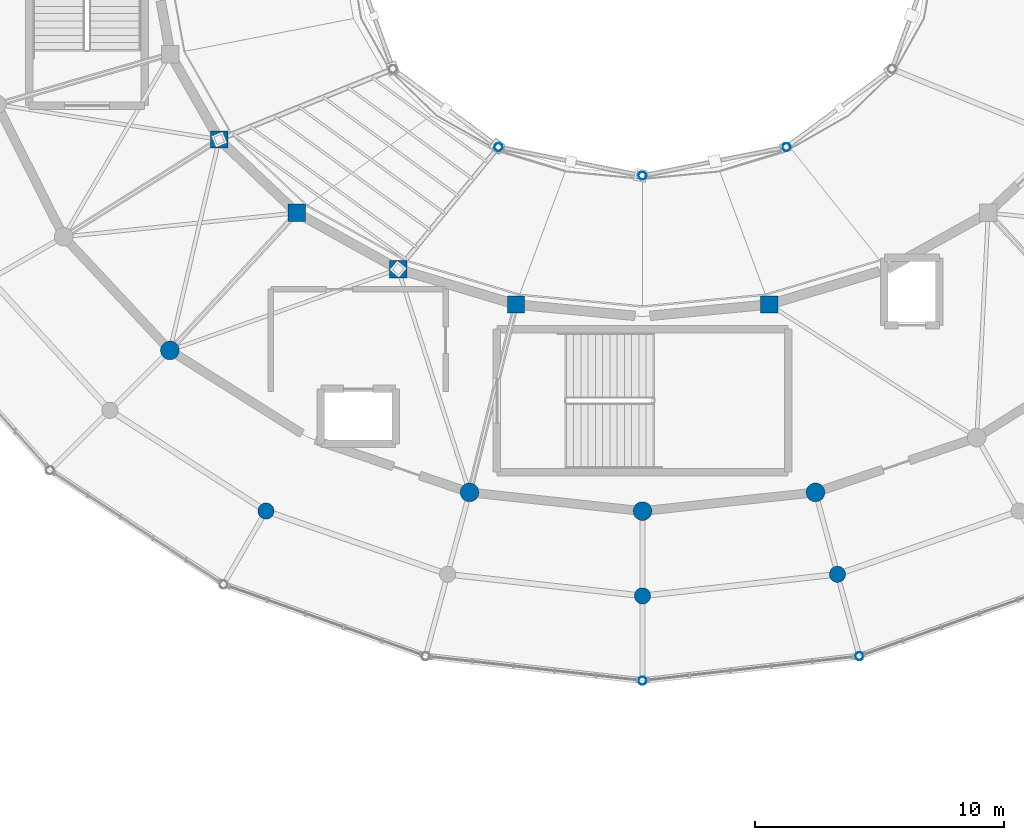
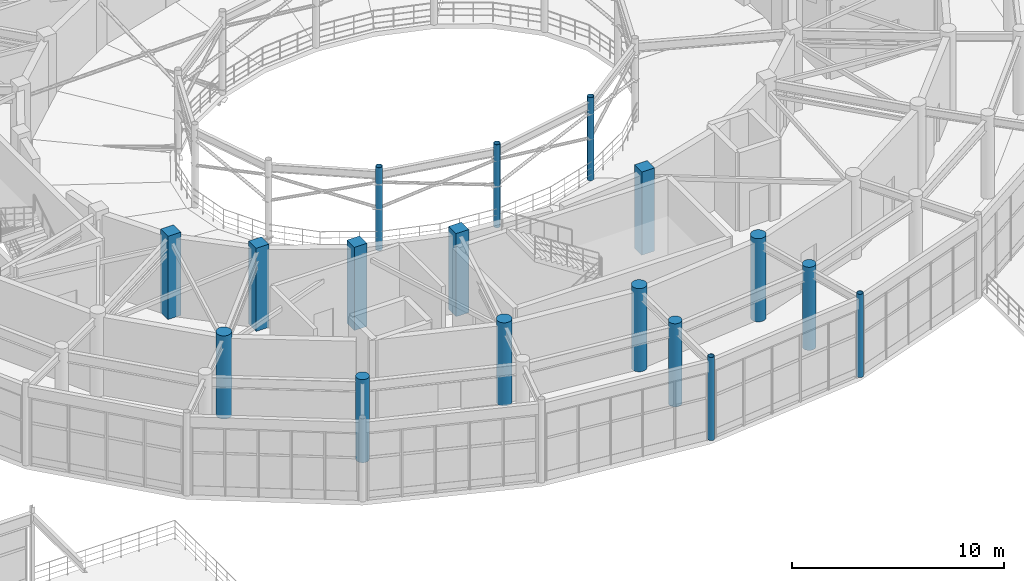
# One storey, part 9 of 144: 17 columns.
"""IFC4 building model written with IfcOpenShell, lengths in metres."""

from ifc_helpers import new_model, si_unit, direction, frame, origin, origin_2d, place, context, subcontext, project, spatial, rectangle, circle, hollow_circle, extrude, material, material_profile, profile_set, type_object, element, save


model = new_model("IFC4")

# Units and contexts
model_context = context("Model", 3, precision=1e-05, world=origin(), true_north=direction((0.0, 1.0)))
body_context = subcontext(model_context, "Body", "Model", "MODEL_VIEW")
ifc_project = project(units=[si_unit("LENGTHUNIT", "METRE"), si_unit("AREAUNIT", "SQUARE_METRE"), si_unit("VOLUMEUNIT", "CUBIC_METRE"), si_unit("PLANEANGLEUNIT", "RADIAN"), si_unit("MASSUNIT", "GRAM", prefix="KILO")], contexts=[model_context])

# Site, building, storey
site_placement = place(None, origin())
site = spatial("IfcSite", under=ifc_project, at=site_placement, CompositionType="ELEMENT")
building_placement = place(site_placement, origin())
building = spatial("IfcBuilding", under=site, at=building_placement, Name="Cinderbank Siding Concert Hall", CompositionType="ELEMENT")
storey_placement = place(building_placement, frame((0.0, 0.0, 5.39990234375)))
storey = spatial("IfcBuildingStorey", under=building, at=storey_placement, Name="L02", CompositionType="ELEMENT", Elevation=5.39990234375)

# Columns
ifc_material_1 = material(Name="Structural steel hollow section AS/NZS 1163 Grade C350L0 (350 MPa)", Category="steel")
ifc_material_profile_1 = material_profile(ifc_material_1, hollow_circle(Radius=0.161865234375, WallThickness=0.0126953125, at=origin_2d()), Name="323.9x12.7CHS", Category="LoadBearing")
ifc_profile_set_1 = profile_set([ifc_material_profile_1], Name="Structural steel hollow section AS/NZS 1163 Grade C350L0 (350 MPa)")
column_type_1 = type_object("IfcColumnType", Name="C-CHS323 323.9x12.7CHS", PredefinedType="COLUMN", material=ifc_profile_set_1)
for number, where, z_axis, x_axis, name in (
    (1, (122.0, 15.199951171875, 0.0), (0.0, 0.0, 1.0), (1.0, 0.0, 0.0), "L02 Column COL-E4-19"),
    (2, (130.696044921875, 16.180908203125, 0.0), (0.0, 0.0, 1.0), (1.0, 0.0, 0.0), "L02 Column COL-E4-20"),
    (3, (116.22509765625, 36.595947265625, 0.0), (0.0, 0.0, 1.0), (1.0, 0.0, 0.0), "L02 Column COL-E0-17"),
    (4, (122.0, 35.449951171875, 0.0), (0.0, 0.0, 1.0), (1.0, 0.0, 0.0), "L02 Column COL-E0-19"),
    (5, (127.77490234375, 36.595947265625, 0.0), (0.0, 0.0, 1.0), (1.0, 0.0, 0.0), "L02 Column COL-E0-21"),
):
    element("IfcColumn", number, at=place(storey_placement, frame(where, z_axis=z_axis, x_axis=x_axis)), inside=storey, type_object=column_type_1, Name=name, PredefinedType="COLUMN", context=body_context, shape_type="SweptSolid", body=[
        extrude(hollow_circle(Radius=0.161865234375, WallThickness=0.0126953125, at=origin_2d()), origin(), (0.0, 0.0, 1.0), 4.800048828125),
    ])
ifc_material_2 = material(Name="Reinforced concrete AS 3600 N50 (50 MPa)", Category="concrete")
ifc_material_profile_2 = material_profile(ifc_material_2, rectangle(XDim=0.699951171875, YDim=0.699951171875, at=origin_2d()), Name="RC-COL-700x700", Category="LoadBearing")
ifc_profile_set_2 = profile_set([ifc_material_profile_2], Name="Reinforced concrete AS 3600 N50 (50 MPa)")
column_type_2 = type_object("IfcColumnType", Name="C-RC700 RC-COL-700x700", PredefinedType="COLUMN", material=ifc_profile_set_2)
for number, where, z_axis, x_axis, name in (
    (6, (105.02587890625, 36.89990234375, 0.0), (0.0, 0.0, 1.0), (1.0, 0.0, 0.0), "L02 Column COL-E1-15"),
    (7, (108.14111328125, 33.958984375, 0.0), (0.0, 0.0, 1.0), (1.0, 0.0, 0.0), "L02 Column COL-E1-16"),
    (8, (112.199951171875, 31.701904296875, 0.0), (0.0, 0.0, 1.0), (1.0, 0.0, 0.0), "L02 Column COL-E1-17"),
    (9, (116.927001953125, 30.283935546875, 0.0), (0.0, 0.0, 1.0), (1.0, 0.0, 0.0), "L02 Column COL-E1-18"),
    (10, (127.072998046875, 30.283935546875, 0.0), (0.0, 0.0, 1.0), (1.0, 0.0, 0.0), "L02 Column COL-E1-20"),
):
    element("IfcColumn", number, at=place(storey_placement, frame(where, z_axis=z_axis, x_axis=x_axis)), inside=storey, type_object=column_type_2, Name=name, PredefinedType="COLUMN", context=body_context, shape_type="SweptSolid", body=[
        extrude(rectangle(XDim=0.699951171875, YDim=0.699951171875, at=origin_2d()), origin(), (0.0, 0.0, 1.0), 4.800048828125),
    ])
ifc_material_profile_3 = material_profile(ifc_material_2, circle(Radius=0.324951171875, at=origin_2d()), Name="RC-COL-650DIA", Category="LoadBearing")
ifc_profile_set_3 = profile_set([ifc_material_profile_3], Name="Reinforced concrete AS 3600 N50 (50 MPa)")
column_type_3 = type_object("IfcColumnType", Name="C-RCD650 RC-COL-650DIA", PredefinedType="COLUMN", material=ifc_profile_set_3)
for number, where, z_axis, x_axis, name in (
    (11, (106.89990234375, 22.0029296875, 0.0), (0.0, 0.0, 1.0), (1.0, 0.0, 0.0), "L02 Column COL-E3-17"),
    (12, (122.0, 18.60009765625, 0.0), (0.0, 0.0, 1.0), (1.0, 0.0, 0.0), "L02 Column COL-E3-19"),
    (13, (129.81591796875, 19.465087890625, 0.0), (0.0, 0.0, 1.0), (1.0, 0.0, 0.0), "L02 Column COL-E3-20"),
):
    element("IfcColumn", number, at=place(storey_placement, frame(where, z_axis=z_axis, x_axis=x_axis)), inside=storey, type_object=column_type_3, Name=name, PredefinedType="COLUMN", context=body_context, shape_type="SweptSolid", body=[
        extrude(circle(Radius=0.324951171875, at=origin_2d()), origin(), (0.0, 0.0, 1.0), 4.800048828125),
    ])
ifc_material_profile_4 = material_profile(ifc_material_2, circle(Radius=0.375, at=origin_2d()), Name="RC-COL-750DIA", Category="LoadBearing")
ifc_profile_set_4 = profile_set([ifc_material_profile_4], Name="Reinforced concrete AS 3600 N50 (50 MPa)")
column_type_4 = type_object("IfcColumnType", Name="C-RCD750 RC-COL-750DIA", PredefinedType="COLUMN", material=ifc_profile_set_4)
for number, where, z_axis, x_axis, name in (
    (14, (103.049072265625, 28.444091796875, 0.0), (0.0, 0.0, 1.0), (1.0, 0.0, 0.0), "L02 Column COL-E2-16"),
    (15, (115.06396484375, 22.75, 0.0), (0.0, 0.0, 1.0), (1.0, 0.0, 0.0), "L02 Column COL-E2-18"),
    (16, (122.0, 22.0, 0.0), (0.0, 0.0, 1.0), (1.0, 0.0, 0.0), "L02 Column COL-E2-19"),
    (17, (128.93603515625, 22.75, 0.0), (0.0, 0.0, 1.0), (1.0, 0.0, 0.0), "L02 Column COL-E2-20"),
):
    element("IfcColumn", number, at=place(storey_placement, frame(where, z_axis=z_axis, x_axis=x_axis)), inside=storey, type_object=column_type_4, Name=name, PredefinedType="COLUMN", context=body_context, shape_type="SweptSolid", body=[
        extrude(circle(Radius=0.375, at=origin_2d()), origin(), (0.0, 0.0, 1.0), 4.800048828125),
    ])

save(model, "model.ifc")
